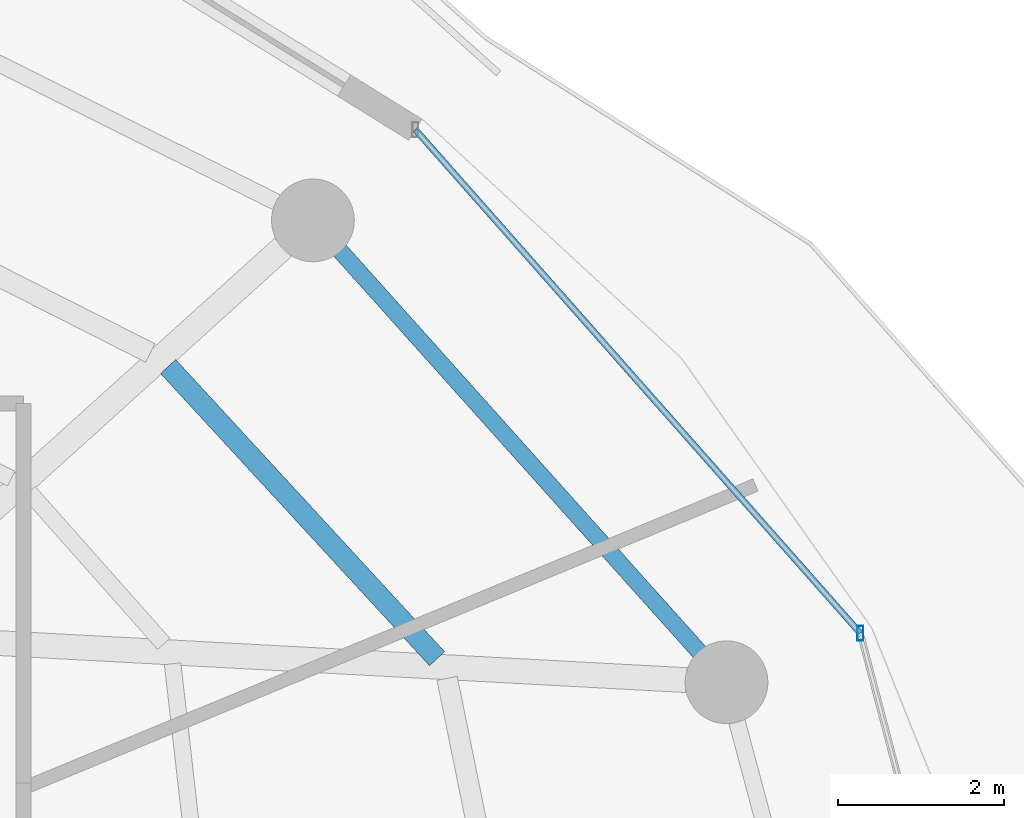
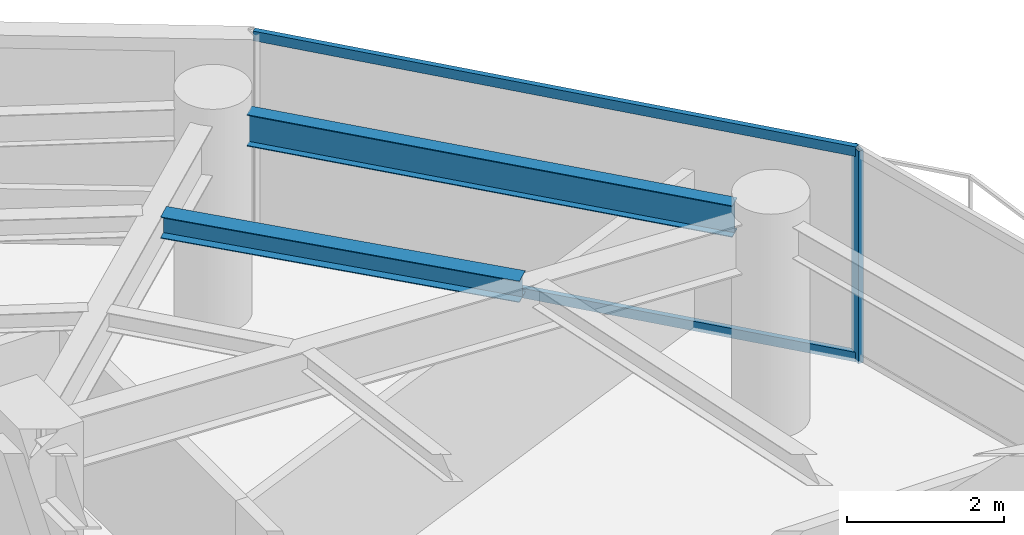
# One storey, part 13 of 28: 3 members, 2 beams, 1 element without a shape of its own.
"""IFC4 building model written with IfcOpenShell, lengths in metres."""

import ifcopenshell
import ifcopenshell.guid

model = None  # the IFC model being written
_history = None  # IfcOwnerHistory: only IFC2X3 demands one
_inside = {}  # id of a spatial element -> (the spatial element, [elements in it])
_under = {}  # id of a project, library or spatial element -> (it, [spatial elements below it])
_declared = {}  # id of a project -> (the project, [libraries it declares])
_typed = {}  # id of a type object -> (the type object, [elements of that type])
_made_of = {}  # id of a material, layer set ... -> (it, [elements and type objects made of it])


def new_model(schema):
    """Start an empty IFC model of exactly this schema.

    Asked for "IFC4X3", IfcOpenShell would pick the latest addendum, in which some entities
    have other attributes; the version numbers below select the first issue.
    IFC2X3 requires an IfcOwnerHistory on every rooted entity: one is made here for all.
    """
    global model, _history
    if schema == "IFC4X3":
        model = ifcopenshell.file(schema_version=(4, 3, 0, 0))
    else:
        model = ifcopenshell.file(schema=schema)
    _inside.clear()
    _under.clear()
    _declared.clear()
    _typed.clear()
    _made_of.clear()
    _history = None
    if model.schema == "IFC2X3":
        org = make("IfcOrganization", Name="unknown")
        user = make(
            "IfcPersonAndOrganization",
            ThePerson=make("IfcPerson", FamilyName="unknown"),
            TheOrganization=org,
        )
        app = make(
            "IfcApplication",
            ApplicationDeveloper=org,
            Version="unknown",
            ApplicationFullName="unknown",
            ApplicationIdentifier="unknown",
        )
        _history = make(
            "IfcOwnerHistory",
            OwningUser=user,
            OwningApplication=app,
            ChangeAction="ADDED",
            CreationDate=0,
        )
    return model


def make(cls, **values):
    """One entity of the class cls with the attributes given. An attribute that is None is left unset."""
    return model.create_entity(
        cls, **{name: value for name, value in values.items() if value is not None}
    )


def rooted(cls, **values):
    """An entity with a GlobalId (a new one), such as an element, a storey or a relation."""
    return make(cls, GlobalId=ifcopenshell.guid.new(), OwnerHistory=_history, **values)


def si_unit(unit_type, name, prefix=None):
    """IfcSIUnit, for example si_unit("LENGTHUNIT", "METRE", prefix="MILLI")."""
    return make("IfcSIUnit", UnitType=unit_type, Prefix=prefix, Name=name)


def assignment(units):
    """IfcUnitAssignment: the units of a project."""
    return None if units is None else make("IfcUnitAssignment", Units=units)


def point(xyz):
    """IfcCartesianPoint."""
    return None if xyz is None else make("IfcCartesianPoint", Coordinates=xyz)


def direction(xyz):
    """IfcDirection."""
    return None if xyz is None else make("IfcDirection", DirectionRatios=xyz)


def frame(location, z_axis=None, x_axis=None):
    """IfcAxis2Placement3D, a coordinate frame: its origin and axes. An axis left out is left unset."""
    return make(
        "IfcAxis2Placement3D",
        Location=point(location),
        Axis=direction(z_axis),
        RefDirection=direction(x_axis),
    )


def frame_2d(location, x_axis=None):
    """IfcAxis2Placement2D, a coordinate frame in the plane: its origin and x axis."""
    return make(
        "IfcAxis2Placement2D", Location=point(location), RefDirection=direction(x_axis)
    )


def origin():
    """The frame at (0, 0, 0) with its axes left unset."""
    return frame((0.0, 0.0, 0.0))


def origin_2d():
    """The frame at (0, 0) in the plane with its x axis left unset."""
    return frame_2d((0.0, 0.0))


def place(relative_to, where):
    """IfcLocalPlacement: puts the frame where relative to a parent placement (None: the world)."""
    return make(
        "IfcLocalPlacement", PlacementRelTo=relative_to, RelativePlacement=where
    )


def context(
    kind, dimensions, precision=None, world=None, true_north=None, identifier=None
):
    """IfcGeometricRepresentationContext, for example the 3D "Model" context."""
    return make(
        "IfcGeometricRepresentationContext",
        ContextIdentifier=identifier,
        ContextType=kind,
        CoordinateSpaceDimension=dimensions,
        Precision=precision,
        WorldCoordinateSystem=world,
        TrueNorth=true_north,
    )


def subcontext(parent, identifier, kind, view, scale=None):
    """IfcGeometricRepresentationSubContext, for example "Body" below "Model"."""
    return make(
        "IfcGeometricRepresentationSubContext",
        ContextIdentifier=identifier,
        ContextType=kind,
        ParentContext=parent,
        TargetScale=scale,
        TargetView=view,
    )


def project(units=None, contexts=None):
    """IfcProject with its units and contexts."""
    return rooted(
        "IfcProject",
        Name="project",
        RepresentationContexts=contexts,
        UnitsInContext=assignment(units),
    )


def spatial(cls, under=None, at=None, **own):
    """A site, building, storey or space (cls), placed at a placement, below another one or the project."""
    s = rooted(cls, ObjectPlacement=at, **own)
    if under is not None:
        _under.setdefault(under.id(), (under, []))[1].append(s)
    return s


def profile(cls, at=None, kind="AREA", **sizes):
    """A parametric profile (cls). Its sizes go by their IFC names, for example OverallWidth=200.0."""
    return make(cls, ProfileType=kind, Position=at, **sizes)


def hollow_rectangle(**sizes):
    """IfcRectangleHollowProfileDef."""
    return profile("IfcRectangleHollowProfileDef", **sizes)


def i_section(**sizes):
    """IfcIShapeProfileDef."""
    return profile("IfcIShapeProfileDef", **sizes)


def extrude(swept, where, along, depth):
    """IfcExtrudedAreaSolid: the profile swept, set in the frame where, extruded along a direction by depth."""
    return make(
        "IfcExtrudedAreaSolid",
        SweptArea=swept,
        Position=where,
        ExtrudedDirection=direction(along),
        Depth=depth,
    )


def shape(context_of_items, identifier, shape_type, items):
    """IfcShapeRepresentation: the items that make up one representation, for example the "Body"."""
    return make(
        "IfcShapeRepresentation",
        ContextOfItems=context_of_items,
        RepresentationIdentifier=identifier,
        RepresentationType=shape_type,
        Items=items,
    )


def material(Name=None, Category=None):
    """IfcMaterial."""
    return make("IfcMaterial", Name=Name, Category=Category)


def material_profile(
    of_material, cross_section, Name=None, Category=None, Priority=None
):
    """IfcMaterialProfile: a cross section and its material."""
    return make(
        "IfcMaterialProfile",
        Name=Name,
        Material=of_material,
        Profile=cross_section,
        Priority=Priority,
        Category=Category,
    )


def profile_set(profiles, Name=None, composite=None):
    """IfcMaterialProfileSet."""
    return make(
        "IfcMaterialProfileSet",
        Name=Name,
        MaterialProfiles=profiles,
        CompositeProfile=composite,
    )


def made_of(thing, what):
    """Note that an element or type object is made of a material, layer set ...; save() writes the relation."""
    if what is not None:
        _made_of.setdefault(what.id(), (what, []))[1].append(thing)
    return thing


def type_object(cls, material=None, **own):
    """A type object (cls), such as IfcWallType, which elements share."""
    return made_of(rooted(cls, **own), material)


def element(
    cls,
    number,
    at=None,
    inside=None,
    cuts=None,
    type_object=None,
    material=None,
    context=None,
    identifier="Body",
    shape_type=None,
    held_by="IfcProductDefinitionShape",
    body=None,
    shapes=None,
    **own,
):
    """One element of the class cls, such as IfcWall. Its Tag is "e" and its number.

    at: its placement. inside: the storey or other place that contains it. cuts: it is an
    opening in that element (IfcRelVoidsElement). A single representation is given by context,
    identifier, shape_type and body (its items); several are given by shapes. held_by: the class
    of the entity that holds the representations. save() writes the other relations.
    """
    e = rooted(cls, Tag="e%d" % number, ObjectPlacement=at, **own)
    if body is not None:
        shapes = [shape(context, identifier, shape_type, body)]
    if shapes is not None:
        e.Representation = make(held_by, Representations=shapes)
    if inside is not None:
        _inside.setdefault(inside.id(), (inside, []))[1].append(e)
    if cuts is not None:
        rooted(
            "IfcRelVoidsElement", RelatingBuildingElement=cuts, RelatedOpeningElement=e
        )
    if type_object is not None:
        _typed.setdefault(type_object.id(), (type_object, []))[1].append(e)
    return made_of(e, material)


def aggregate(whole, parts):
    """IfcRelAggregates: a whole, such as a stair, and the parts it consists of."""
    return rooted("IfcRelAggregates", RelatingObject=whole, RelatedObjects=parts)


def save(model, path):
    """Write the relations noted so far, then the file.

    IfcRelAggregates (storeys below a building ...), IfcRelContainedInSpatialStructure (elements
    in a storey), IfcRelDefinesByType, IfcRelAssociatesMaterial and IfcRelDeclares: one each for
    every whole, place, type object, material and project.
    """
    for whole, parts in _under.values():
        aggregate(whole, parts)
    for where, things in _inside.values():
        rooted(
            "IfcRelContainedInSpatialStructure",
            RelatedElements=things,
            RelatingStructure=where,
        )
    for kind, things in _typed.values():
        rooted("IfcRelDefinesByType", RelatedObjects=things, RelatingType=kind)
    for what, things in _made_of.values():
        rooted("IfcRelAssociatesMaterial", RelatedObjects=things, RelatingMaterial=what)
    for by, libraries in _declared.values():
        rooted("IfcRelDeclares", RelatingContext=by, RelatedDefinitions=libraries)
    model.write(path)


model = new_model("IFC4")

# Units and contexts
model_context = context("Model", 3, precision=1e-05, world=origin(), true_north=direction((0.0, 1.0)))
body_context = subcontext(model_context, "Body", "Model", "MODEL_VIEW")
ifc_project = project(units=[si_unit("LENGTHUNIT", "METRE"), si_unit("AREAUNIT", "SQUARE_METRE"), si_unit("VOLUMEUNIT", "CUBIC_METRE"), si_unit("PLANEANGLEUNIT", "RADIAN"), si_unit("MASSUNIT", "GRAM", prefix="KILO")], contexts=[model_context])

# Site, building, storey
site_placement = place(None, origin())
site = spatial("IfcSite", under=ifc_project, at=site_placement, CompositionType="ELEMENT")
building_placement = place(site_placement, origin())
building = spatial("IfcBuilding", under=site, at=building_placement, Name="Vorneva Point Tower", CompositionType="ELEMENT")
storey_placement = place(building_placement, frame((0.0, 0.0, 160.60009765625)))
storey = spatial("IfcBuildingStorey", under=building, at=storey_placement, Name="L43", CompositionType="ELEMENT", Elevation=160.60009765625)

# Beams
ifc_material_1 = material(Name="Steel S355", Category="steel")
ifc_material_profile_1 = material_profile(ifc_material_1, i_section(OverallWidth=0.2490234375, OverallDepth=0.333984375, WebThickness=0.008056640625, FlangeThickness=0.010986328125, at=origin_2d()), Name="35Sh1")
ifc_profile_set_1 = profile_set([ifc_material_profile_1], Name="Steel S355")
beam_type_1 = type_object("IfcBeamType", Name="BM-SEC-35Sh1", PredefinedType="BEAM", material=ifc_profile_set_1)
beam_1_placement = place(storey_placement, frame((55.799072265625, 32.866943359375, 3.072998046875), z_axis=(-0.677292423638, 0.735713920545, 0.0), x_axis=(-0.735713920545, -0.677292423638, 0.0)))
element("IfcBeam", 1, at=beam_1_placement, inside=storey, type_object=beam_type_1, Name="L43 Secondary Floor Beam 1.02", PredefinedType="BEAM", context=body_context, shape_type="SweptSolid", body=[
    extrude(i_section(OverallWidth=0.2490234375, OverallDepth=0.333984375, WebThickness=0.008056640625, FlangeThickness=0.010986328125, at=origin_2d()), origin(), (0.0, 0.0, 1.0), 4.79736328125),
])
ifc_material_profile_2 = material_profile(ifc_material_1, i_section(OverallWidth=0.199951171875, OverallDepth=0.491943359375, WebThickness=0.0087890625, FlangeThickness=0.011962890625, at=origin_2d()), Name="50B1")
ifc_profile_set_2 = profile_set([ifc_material_profile_2], Name="Steel S355")
beam_type_2 = type_object("IfcBeamType", Name="BM-SPN-50B1", PredefinedType="SPANDREL", material=ifc_profile_set_2)
beam_2_placement = place(storey_placement, frame((58.971923828125, 32.943603515625, 2.993896484375), z_axis=(-0.667111118975, 0.74495822362, 0.0), x_axis=(-0.74495822362, -0.667111118975, 0.0)))
element("IfcBeam", 2, at=beam_2_placement, inside=storey, type_object=beam_type_2, Name="L43 Perimeter Spandrel Ring Beam 02", PredefinedType="SPANDREL", context=body_context, shape_type="SweptSolid", body=[
    extrude(i_section(OverallWidth=0.199951171875, OverallDepth=0.491943359375, WebThickness=0.0087890625, FlangeThickness=0.011962890625, at=origin_2d()), origin(), (0.0, 0.0, 1.0), 6.52001953125),
])

# Curtain wall, members
ifc_material_2 = material(Name="Pale anodised aluminium", Category="aluminium")
curtain_wall_type = type_object("IfcCurtainWallType", Name="CW-RES-SYS", PredefinedType="NOTDEFINED", material=ifc_material_2)
curtain_wall_placement = place(storey_placement, origin())
curtain_wall = element("IfcCurtainWall", 3, at=curtain_wall_placement, inside=storey, type_object=curtain_wall_type, Name="L43 Unitised Curtain Wall CW-L43-R01", PredefinedType="NOTDEFINED")
ifc_material_profile_3 = material_profile(ifc_material_2, hollow_rectangle(XDim=0.074951171875, YDim=0.179931640625, WallThickness=0.00390625, at=origin_2d()), Name="AL-MUL 180x75x4")
ifc_profile_set_3 = profile_set([ifc_material_profile_3], Name="Pale anodised aluminium")
member_type_1 = type_object("IfcMemberType", Name="CW-MUL-180", PredefinedType="MULLION", material=ifc_profile_set_3)
member_1_placement = place(storey_placement, frame((60.912109375, 33.17529296875, -0.0400390625), z_axis=(0.0, 0.0, 1.0), x_axis=(1.0, 0.0, 0.0)))
member_1 = element("IfcMember", 4, at=member_1_placement, type_object=member_type_1, Name="CW-L43-R01 Mullion 04", PredefinedType="MULLION", context=body_context, shape_type="SweptSolid", body=[
    extrude(hollow_rectangle(XDim=0.074951171875, YDim=0.179931640625, WallThickness=0.00390625, at=origin_2d()), origin(), (0.0, 0.0, 1.0), 3.31005859375),
])
ifc_material_profile_4 = material_profile(ifc_material_2, hollow_rectangle(XDim=0.074951171875, YDim=0.14990234375, WallThickness=0.00390625, at=origin_2d()), Name="AL-TRN 150x75x4")
ifc_profile_set_4 = profile_set([ifc_material_profile_4], Name="Pale anodised aluminium")
member_type_2 = type_object("IfcMemberType", Name="CW-TRN-150", PredefinedType="USERDEFINED", material=ifc_profile_set_4)
member_2_placement = place(storey_placement, frame((60.912109375, 33.17529296875, 0.02001953125), z_axis=(-0.662218216609, 0.749311039283, 0.0), x_axis=(-0.749311039283, -0.662218216609, 0.0)))
member_2 = element("IfcMember", 5, at=member_2_placement, type_object=member_type_2, Name="CW-L43-R01 Transom 04.1", ObjectType="TRANSOM", PredefinedType="USERDEFINED", context=body_context, shape_type="SweptSolid", body=[
    extrude(hollow_rectangle(XDim=0.074951171875, YDim=0.14990234375, WallThickness=0.00390625, at=origin_2d()), origin(), (0.0, 0.0, 1.0), 8.1181640625),
])
member_3_placement = place(storey_placement, frame((60.912109375, 33.17529296875, 3.219970703125), z_axis=(-0.662218216609, 0.749311039283, 0.0), x_axis=(-0.749311039283, -0.662218216609, 0.0)))
member_3 = element("IfcMember", 6, at=member_3_placement, type_object=member_type_2, Name="CW-L43-R01 Transom 04.2", ObjectType="TRANSOM", PredefinedType="USERDEFINED", context=body_context, shape_type="SweptSolid", body=[
    extrude(hollow_rectangle(XDim=0.074951171875, YDim=0.14990234375, WallThickness=0.00390625, at=origin_2d()), origin(), (0.0, 0.0, 1.0), 8.1181640625),
])
aggregate(curtain_wall, [member_1, member_2, member_3])

save(model, "model.ifc")
